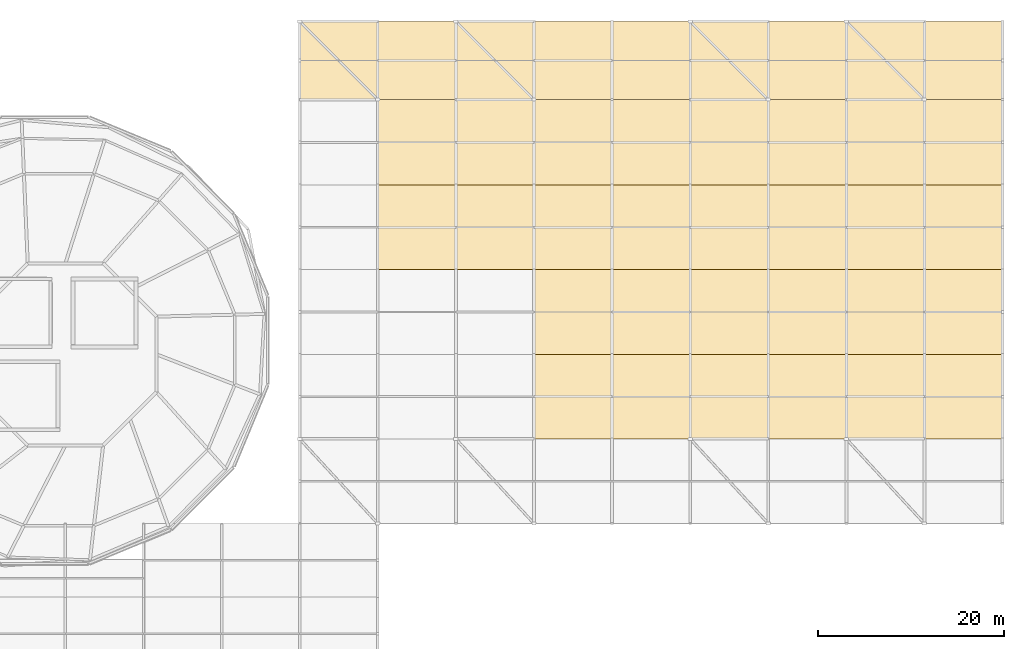
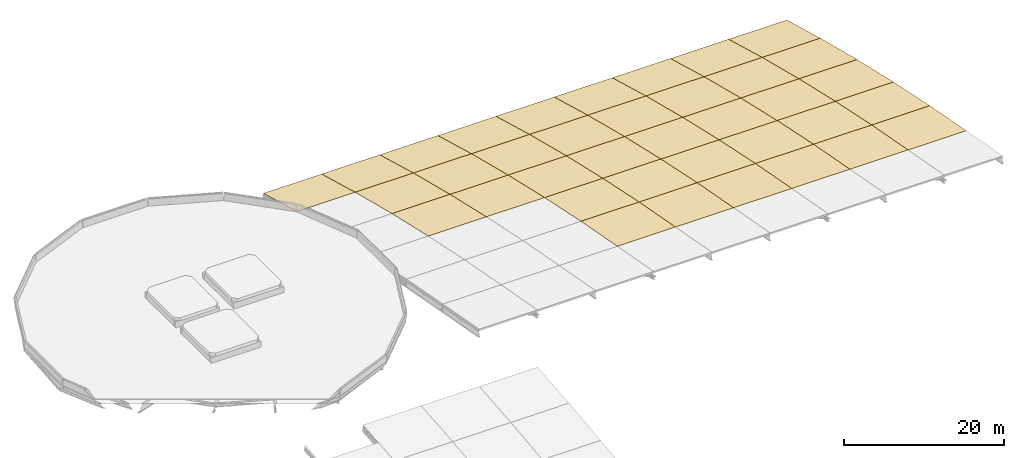
# One storey, part 12 of 12: 37 coverings, 9 elements without a shape of their own.
"""IFC4 building model written with IfcOpenShell, lengths in metres."""

import ifcopenshell
import ifcopenshell.guid

model = None  # the IFC model being written
_history = None  # IfcOwnerHistory: only IFC2X3 demands one
_inside = {}  # id of a spatial element -> (the spatial element, [elements in it])
_under = {}  # id of a project, library or spatial element -> (it, [spatial elements below it])
_declared = {}  # id of a project -> (the project, [libraries it declares])
_typed = {}  # id of a type object -> (the type object, [elements of that type])
_made_of = {}  # id of a material, layer set ... -> (it, [elements and type objects made of it])


def new_model(schema):
    """Start an empty IFC model of exactly this schema.

    Asked for "IFC4X3", IfcOpenShell would pick the latest addendum, in which some entities
    have other attributes; the version numbers below select the first issue.
    IFC2X3 requires an IfcOwnerHistory on every rooted entity: one is made here for all.
    """
    global model, _history
    if schema == "IFC4X3":
        model = ifcopenshell.file(schema_version=(4, 3, 0, 0))
    else:
        model = ifcopenshell.file(schema=schema)
    _inside.clear()
    _under.clear()
    _declared.clear()
    _typed.clear()
    _made_of.clear()
    _history = None
    if model.schema == "IFC2X3":
        org = make("IfcOrganization", Name="unknown")
        user = make(
            "IfcPersonAndOrganization",
            ThePerson=make("IfcPerson", FamilyName="unknown"),
            TheOrganization=org,
        )
        app = make(
            "IfcApplication",
            ApplicationDeveloper=org,
            Version="unknown",
            ApplicationFullName="unknown",
            ApplicationIdentifier="unknown",
        )
        _history = make(
            "IfcOwnerHistory",
            OwningUser=user,
            OwningApplication=app,
            ChangeAction="ADDED",
            CreationDate=0,
        )
    return model


def make(cls, **values):
    """One entity of the class cls with the attributes given. An attribute that is None is left unset."""
    return model.create_entity(
        cls, **{name: value for name, value in values.items() if value is not None}
    )


def rooted(cls, **values):
    """An entity with a GlobalId (a new one), such as an element, a storey or a relation."""
    return make(cls, GlobalId=ifcopenshell.guid.new(), OwnerHistory=_history, **values)


def si_unit(unit_type, name, prefix=None):
    """IfcSIUnit, for example si_unit("LENGTHUNIT", "METRE", prefix="MILLI")."""
    return make("IfcSIUnit", UnitType=unit_type, Prefix=prefix, Name=name)


def derived_unit(unit_type, elements):
    """IfcDerivedUnit: a product of units, each with its exponent."""
    return make(
        "IfcDerivedUnit",
        Elements=[
            make("IfcDerivedUnitElement", Unit=unit, Exponent=power)
            for unit, power in elements
        ],
        UnitType=unit_type,
    )


def assignment(units):
    """IfcUnitAssignment: the units of a project."""
    return None if units is None else make("IfcUnitAssignment", Units=units)


def point(xyz):
    """IfcCartesianPoint."""
    return None if xyz is None else make("IfcCartesianPoint", Coordinates=xyz)


def direction(xyz):
    """IfcDirection."""
    return None if xyz is None else make("IfcDirection", DirectionRatios=xyz)


def frame(location, z_axis=None, x_axis=None):
    """IfcAxis2Placement3D, a coordinate frame: its origin and axes. An axis left out is left unset."""
    return make(
        "IfcAxis2Placement3D",
        Location=point(location),
        Axis=direction(z_axis),
        RefDirection=direction(x_axis),
    )


def origin():
    """The frame at (0, 0, 0) with its axes left unset."""
    return frame((0.0, 0.0, 0.0))


def place(relative_to, where):
    """IfcLocalPlacement: puts the frame where relative to a parent placement (None: the world)."""
    return make(
        "IfcLocalPlacement", PlacementRelTo=relative_to, RelativePlacement=where
    )


def context(
    kind, dimensions, precision=None, world=None, true_north=None, identifier=None
):
    """IfcGeometricRepresentationContext, for example the 3D "Model" context."""
    return make(
        "IfcGeometricRepresentationContext",
        ContextIdentifier=identifier,
        ContextType=kind,
        CoordinateSpaceDimension=dimensions,
        Precision=precision,
        WorldCoordinateSystem=world,
        TrueNorth=true_north,
    )


def subcontext(parent, identifier, kind, view, scale=None):
    """IfcGeometricRepresentationSubContext, for example "Body" below "Model"."""
    return make(
        "IfcGeometricRepresentationSubContext",
        ContextIdentifier=identifier,
        ContextType=kind,
        ParentContext=parent,
        TargetScale=scale,
        TargetView=view,
    )


def project(units=None, contexts=None):
    """IfcProject with its units and contexts."""
    return rooted(
        "IfcProject",
        Name="project",
        RepresentationContexts=contexts,
        UnitsInContext=assignment(units),
    )


def spatial(cls, under=None, at=None, **own):
    """A site, building, storey or space (cls), placed at a placement, below another one or the project."""
    s = rooted(cls, ObjectPlacement=at, **own)
    if under is not None:
        _under.setdefault(under.id(), (under, []))[1].append(s)
    return s


def polyline(points):
    """IfcPolyline through the points."""
    return make("IfcPolyline", Points=[point(p) for p in points])


def outline(outer, holes=None, kind="AREA"):
    """IfcArbitraryClosedProfileDef: a profile drawn as a closed curve; with holes, ...WithVoids."""
    if holes is None:
        return make("IfcArbitraryClosedProfileDef", ProfileType=kind, OuterCurve=outer)
    return make(
        "IfcArbitraryProfileDefWithVoids",
        ProfileType=kind,
        OuterCurve=outer,
        InnerCurves=holes,
    )


def extrude(swept, where, along, depth):
    """IfcExtrudedAreaSolid: the profile swept, set in the frame where, extruded along a direction by depth."""
    return make(
        "IfcExtrudedAreaSolid",
        SweptArea=swept,
        Position=where,
        ExtrudedDirection=direction(along),
        Depth=depth,
    )


def shape(context_of_items, identifier, shape_type, items):
    """IfcShapeRepresentation: the items that make up one representation, for example the "Body"."""
    return make(
        "IfcShapeRepresentation",
        ContextOfItems=context_of_items,
        RepresentationIdentifier=identifier,
        RepresentationType=shape_type,
        Items=items,
    )


def material(Name=None, Category=None):
    """IfcMaterial."""
    return make("IfcMaterial", Name=Name, Category=Category)


def layer(
    of_material, thickness, ventilated=None, Name=None, Category=None, Priority=None
):
    """IfcMaterialLayer: one layer of a wall or slab, of a material (None: an air gap)."""
    return make(
        "IfcMaterialLayer",
        Material=of_material,
        LayerThickness=thickness,
        IsVentilated=ventilated,
        Name=Name,
        Category=Category,
        Priority=Priority,
    )


def layer_set(layers, Name=None):
    """IfcMaterialLayerSet."""
    return make("IfcMaterialLayerSet", MaterialLayers=layers, LayerSetName=Name)


def made_of(thing, what):
    """Note that an element or type object is made of a material, layer set ...; save() writes the relation."""
    if what is not None:
        _made_of.setdefault(what.id(), (what, []))[1].append(thing)
    return thing


def type_object(cls, material=None, **own):
    """A type object (cls), such as IfcWallType, which elements share."""
    return made_of(rooted(cls, **own), material)


def element(
    cls,
    number,
    at=None,
    inside=None,
    cuts=None,
    type_object=None,
    material=None,
    context=None,
    identifier="Body",
    shape_type=None,
    held_by="IfcProductDefinitionShape",
    body=None,
    shapes=None,
    **own,
):
    """One element of the class cls, such as IfcWall. Its Tag is "e" and its number.

    at: its placement. inside: the storey or other place that contains it. cuts: it is an
    opening in that element (IfcRelVoidsElement). A single representation is given by context,
    identifier, shape_type and body (its items); several are given by shapes. held_by: the class
    of the entity that holds the representations. save() writes the other relations.
    """
    e = rooted(cls, Tag="e%d" % number, ObjectPlacement=at, **own)
    if body is not None:
        shapes = [shape(context, identifier, shape_type, body)]
    if shapes is not None:
        e.Representation = make(held_by, Representations=shapes)
    if inside is not None:
        _inside.setdefault(inside.id(), (inside, []))[1].append(e)
    if cuts is not None:
        rooted(
            "IfcRelVoidsElement", RelatingBuildingElement=cuts, RelatedOpeningElement=e
        )
    if type_object is not None:
        _typed.setdefault(type_object.id(), (type_object, []))[1].append(e)
    return made_of(e, material)


def aggregate(whole, parts):
    """IfcRelAggregates: a whole, such as a stair, and the parts it consists of."""
    return rooted("IfcRelAggregates", RelatingObject=whole, RelatedObjects=parts)


def save(model, path):
    """Write the relations noted so far, then the file.

    IfcRelAggregates (storeys below a building ...), IfcRelContainedInSpatialStructure (elements
    in a storey), IfcRelDefinesByType, IfcRelAssociatesMaterial and IfcRelDeclares: one each for
    every whole, place, type object, material and project.
    """
    for whole, parts in _under.values():
        aggregate(whole, parts)
    for where, things in _inside.values():
        rooted(
            "IfcRelContainedInSpatialStructure",
            RelatedElements=things,
            RelatingStructure=where,
        )
    for kind, things in _typed.values():
        rooted("IfcRelDefinesByType", RelatedObjects=things, RelatingType=kind)
    for what, things in _made_of.values():
        rooted("IfcRelAssociatesMaterial", RelatedObjects=things, RelatingMaterial=what)
    for by, libraries in _declared.values():
        rooted("IfcRelDeclares", RelatingContext=by, RelatedDefinitions=libraries)
    model.write(path)


model = new_model("IFC4")

# Units and contexts
model_context = context("Model", 3, precision=1e-05, world=origin(), true_north=direction((0.0, 1.0)))
body_context = subcontext(model_context, "Body", "Model", "MODEL_VIEW")
ifc_project = project(units=[si_unit("LENGTHUNIT", "METRE"), si_unit("AREAUNIT", "SQUARE_METRE"), si_unit("VOLUMEUNIT", "CUBIC_METRE"), si_unit("PLANEANGLEUNIT", "RADIAN"), si_unit("MASSUNIT", "GRAM", prefix="KILO"), derived_unit("THERMALTRANSMITTANCEUNIT", [(si_unit("MASSUNIT", "GRAM", prefix="KILO"), 1), (si_unit("TIMEUNIT", "SECOND"), -3), (si_unit("THERMODYNAMICTEMPERATUREUNIT", "KELVIN"), -1)])], contexts=[model_context])

# Site, building, storey
site_placement = place(None, origin())
site = spatial("IfcSite", under=ifc_project, at=site_placement, CompositionType="ELEMENT")
building_placement = place(site_placement, origin())
building = spatial("IfcBuilding", under=site, at=building_placement, Name="Makaiwela Harbour Ferry Terminal", CompositionType="ELEMENT")
storey_placement = place(building_placement, frame((0.0, 0.0, 25.5)))
storey = spatial("IfcBuildingStorey", under=building, at=storey_placement, Name="ROOF", CompositionType="ELEMENT", Elevation=25.5)

# Roof, covering
ifc_material = material(Name="Standing-seam marine zinc roofing", Category="aluminium")
ifc_layer_1 = layer(ifc_material, 0.199951171875)
ifc_layer_set_1 = layer_set([ifc_layer_1], Name="Standing-seam marine zinc roofing")
roof_type = type_object("IfcRoofType", Name="RF-BARREL-01", PredefinedType="BARREL_ROOF", material=ifc_layer_set_1)
roof_1_placement = place(storey_placement, origin())
roof_1 = element("IfcRoof", 1, at=roof_1_placement, inside=storey, type_object=roof_type, Name="Departure Hall Barrel Vault Bay 1", PredefinedType="BARREL_ROOF")
ifc_layer_2 = layer(ifc_material, 0.044921875)
ifc_layer_set_2 = layer_set([ifc_layer_2], Name="Standing-seam marine zinc roofing")
covering_type = type_object("IfcCoveringType", Name="COV-ROOF-ZINC", PredefinedType="ROOFING", material=ifc_layer_set_2)
covering_1_placement = place(storey_placement, frame((63.0, 95.0, -9.93505859375), z_axis=(0.0, 0.266207288852, 0.963915805121), x_axis=(1.0, 0.0, 0.0)))
covering_1 = element("IfcCovering", 2, at=covering_1_placement, type_object=covering_type, Name="Architectural Covering RFG-01", PredefinedType="ROOFING", context=body_context, shape_type="SweptSolid", body=[
    extrude(outline(polyline([(0.0, 0.0), (8.39990234375, 0.0), (8.39990234375, 8.714352746500213), (0.0, 8.714352746500213), (0.0, 0.0)])), origin(), (0.0, 0.0, -1.0), 0.044921875),
])
aggregate(roof_1, [covering_1])

# Roof, coverings
roof_2_placement = place(storey_placement, origin())
roof_2 = element("IfcRoof", 3, at=roof_2_placement, inside=storey, type_object=roof_type, Name="Departure Hall Barrel Vault Bay 2", PredefinedType="BARREL_ROOF")
covering_2_placement = place(storey_placement, frame((71.39990234375, 95.0, -9.93505859375), z_axis=(0.0, 0.266207288852, 0.963915805121), x_axis=(1.0, 0.0, 0.0)))
covering_2 = element("IfcCovering", 4, at=covering_2_placement, type_object=covering_type, Name="Architectural Covering RFG-01", PredefinedType="ROOFING", context=body_context, shape_type="SweptSolid", body=[
    extrude(outline(polyline([(0.0, 0.0), (8.400146484375, 0.0), (8.400146484375, 8.714352746500213), (0.0, 8.714352746500213), (0.0, 0.0)])), origin(), (0.0, 0.0, -1.0), 0.044921875),
])
covering_3_placement = place(storey_placement, frame((71.39990234375, 85.800048828125, -7.614990234375), z_axis=(0.0, 0.244527039471, 0.969642473785), x_axis=(1.0, 0.0, 0.0)))
covering_3 = element("IfcCovering", 5, at=covering_3_placement, type_object=covering_type, Name="Architectural Covering RFG-01", PredefinedType="ROOFING", context=body_context, shape_type="SweptSolid", body=[
    extrude(outline(polyline([(0.0, 0.0), (8.400146484375, 0.0), (8.400146484375, 9.48798286028475), (0.0, 9.48798286028475), (0.0, 0.0)])), origin(), (0.0, 0.0, -1.0), 0.044921875),
])
covering_4_placement = place(storey_placement, frame((71.39990234375, 76.699951171875, -5.534912109375), z_axis=(0.0, 0.222830482699, 0.974857207995), x_axis=(1.0, 0.0, 0.0)))
covering_4 = element("IfcCovering", 6, at=covering_4_placement, type_object=covering_type, Name="Architectural Covering RFG-01", PredefinedType="ROOFING", context=body_context, shape_type="SweptSolid", body=[
    extrude(outline(polyline([(0.0, 0.0), (8.400146484375, 0.0), (8.400146484375, 9.334800606300611), (0.0, 9.334800606300611), (0.0, 0.0)])), origin(), (0.0, 0.0, -1.0), 0.044921875),
])
aggregate(roof_2, [covering_2, covering_3, covering_4])

roof_3_placement = place(storey_placement, origin())
roof_3 = element("IfcRoof", 7, at=roof_3_placement, inside=storey, type_object=roof_type, Name="Departure Hall Barrel Vault Bay 3", PredefinedType="BARREL_ROOF")
covering_5_placement = place(storey_placement, frame((79.800048828125, 95.0, -9.93505859375), z_axis=(0.0, 0.266207288852, 0.963915805121), x_axis=(1.0, 0.0, 0.0)))
covering_5 = element("IfcCovering", 8, at=covering_5_placement, type_object=covering_type, Name="Architectural Covering RFG-01", PredefinedType="ROOFING", context=body_context, shape_type="SweptSolid", body=[
    extrude(outline(polyline([(0.0, 0.0), (8.39990234375, 0.0), (8.39990234375, 8.714352746500213), (0.0, 8.714352746500213), (0.0, 0.0)])), origin(), (0.0, 0.0, -1.0), 0.044921875),
])
covering_6_placement = place(storey_placement, frame((79.800048828125, 85.800048828125, -7.614990234375), z_axis=(0.0, 0.244527039471, 0.969642473785), x_axis=(1.0, 0.0, 0.0)))
covering_6 = element("IfcCovering", 9, at=covering_6_placement, type_object=covering_type, Name="Architectural Covering RFG-01", PredefinedType="ROOFING", context=body_context, shape_type="SweptSolid", body=[
    extrude(outline(polyline([(0.0, 0.0), (8.39990234375, 0.0), (8.39990234375, 9.48798286028475), (0.0, 9.48798286028475), (0.0, 0.0)])), origin(), (0.0, 0.0, -1.0), 0.044921875),
])
covering_7_placement = place(storey_placement, frame((79.800048828125, 76.699951171875, -5.534912109375), z_axis=(0.0, 0.222830482699, 0.974857207995), x_axis=(1.0, 0.0, 0.0)))
covering_7 = element("IfcCovering", 10, at=covering_7_placement, type_object=covering_type, Name="Architectural Covering RFG-01", PredefinedType="ROOFING", context=body_context, shape_type="SweptSolid", body=[
    extrude(outline(polyline([(0.0, 0.0), (8.39990234375, 0.0), (8.39990234375, 9.334800606300611), (0.0, 9.334800606300611), (0.0, 0.0)])), origin(), (0.0, 0.0, -1.0), 0.044921875),
])
aggregate(roof_3, [covering_5, covering_6, covering_7])

roof_4_placement = place(storey_placement, origin())
roof_4 = element("IfcRoof", 11, at=roof_4_placement, inside=storey, type_object=roof_type, Name="Departure Hall Barrel Vault Bay 4", PredefinedType="BARREL_ROOF")
covering_8_placement = place(storey_placement, frame((88.199951171875, 95.0, -9.93505859375), z_axis=(0.0, 0.266207288852, 0.963915805121), x_axis=(1.0, 0.0, 0.0)))
covering_8 = element("IfcCovering", 12, at=covering_8_placement, type_object=covering_type, Name="Architectural Covering RFG-01", PredefinedType="ROOFING", context=body_context, shape_type="SweptSolid", body=[
    extrude(outline(polyline([(0.0, 0.0), (8.400146484375, 0.0), (8.400146484375, 8.714352746500213), (0.0, 8.714352746500213), (0.0, 0.0)])), origin(), (0.0, 0.0, -1.0), 0.044921875),
])
covering_9_placement = place(storey_placement, frame((88.199951171875, 85.800048828125, -7.614990234375), z_axis=(0.0, 0.244527039471, 0.969642473785), x_axis=(1.0, 0.0, 0.0)))
covering_9 = element("IfcCovering", 13, at=covering_9_placement, type_object=covering_type, Name="Architectural Covering RFG-01", PredefinedType="ROOFING", context=body_context, shape_type="SweptSolid", body=[
    extrude(outline(polyline([(0.0, 0.0), (8.400146484375, 0.0), (8.400146484375, 9.48798286028475), (0.0, 9.48798286028475), (0.0, 0.0)])), origin(), (0.0, 0.0, -1.0), 0.044921875),
])
covering_10_placement = place(storey_placement, frame((88.199951171875, 76.699951171875, -5.534912109375), z_axis=(0.0, 0.222830482699, 0.974857207995), x_axis=(1.0, 0.0, 0.0)))
covering_10 = element("IfcCovering", 14, at=covering_10_placement, type_object=covering_type, Name="Architectural Covering RFG-01", PredefinedType="ROOFING", context=body_context, shape_type="SweptSolid", body=[
    extrude(outline(polyline([(0.0, 0.0), (8.400146484375, 0.0), (8.400146484375, 9.334800606300611), (0.0, 9.334800606300611), (0.0, 0.0)])), origin(), (0.0, 0.0, -1.0), 0.044921875),
])
covering_11_placement = place(storey_placement, frame((88.199951171875, 67.60009765625, -3.635009765625), z_axis=(0.0, 0.20437688656, 0.978892276116), x_axis=(1.0, 0.0, 0.0)))
covering_11 = element("IfcCovering", 15, at=covering_11_placement, type_object=covering_type, Name="Architectural Covering RFG-01", PredefinedType="ROOFING", context=body_context, shape_type="SweptSolid", body=[
    extrude(outline(polyline([(0.0, 0.0), (8.400146484375, 0.0), (8.400146484375, 9.296072446018233), (0.0, 9.296072446018233), (0.0, 0.0)])), origin(), (0.0, 0.0, -1.0), 0.044921875),
])
covering_12_placement = place(storey_placement, frame((88.199951171875, 58.5, -1.93505859375), z_axis=(0.0, 0.183629289337, 0.982995566672), x_axis=(1.0, 0.0, 0.0)))
covering_12 = element("IfcCovering", 16, at=covering_12_placement, type_object=covering_type, Name="Architectural Covering RFG-01", PredefinedType="ROOFING", context=body_context, shape_type="SweptSolid", body=[
    extrude(outline(polyline([(0.0, 0.0), (8.400146484375, 0.0), (8.400146484375, 9.257516477978635), (0.0, 9.257516477978635), (0.0, 0.0)])), origin(), (0.0, 0.0, -1.0), 0.044921875),
])
aggregate(roof_4, [covering_8, covering_9, covering_10, covering_11, covering_12])

roof_5_placement = place(storey_placement, origin())
roof_5 = element("IfcRoof", 17, at=roof_5_placement, inside=storey, type_object=roof_type, Name="Departure Hall Barrel Vault Bay 5", PredefinedType="BARREL_ROOF")
covering_13_placement = place(storey_placement, frame((96.60009765625, 95.0, -9.93505859375), z_axis=(0.0, 0.266207288852, 0.963915805121), x_axis=(1.0, 0.0, 0.0)))
covering_13 = element("IfcCovering", 18, at=covering_13_placement, type_object=covering_type, Name="Architectural Covering RFG-01", PredefinedType="ROOFING", context=body_context, shape_type="SweptSolid", body=[
    extrude(outline(polyline([(0.0, 0.0), (8.39990234375, 0.0), (8.39990234375, 8.714352746500213), (0.0, 8.714352746500213), (0.0, 0.0)])), origin(), (0.0, 0.0, -1.0), 0.044921875),
])
covering_14_placement = place(storey_placement, frame((96.60009765625, 85.800048828125, -7.614990234375), z_axis=(0.0, 0.244527039471, 0.969642473785), x_axis=(1.0, 0.0, 0.0)))
covering_14 = element("IfcCovering", 19, at=covering_14_placement, type_object=covering_type, Name="Architectural Covering RFG-01", PredefinedType="ROOFING", context=body_context, shape_type="SweptSolid", body=[
    extrude(outline(polyline([(0.0, 0.0), (8.39990234375, 0.0), (8.39990234375, 9.48798286028475), (0.0, 9.48798286028475), (0.0, 0.0)])), origin(), (0.0, 0.0, -1.0), 0.044921875),
])
covering_15_placement = place(storey_placement, frame((96.60009765625, 76.699951171875, -5.534912109375), z_axis=(0.0, 0.222830482699, 0.974857207995), x_axis=(1.0, 0.0, 0.0)))
covering_15 = element("IfcCovering", 20, at=covering_15_placement, type_object=covering_type, Name="Architectural Covering RFG-01", PredefinedType="ROOFING", context=body_context, shape_type="SweptSolid", body=[
    extrude(outline(polyline([(0.0, 0.0), (8.39990234375, 0.0), (8.39990234375, 9.334800606300611), (0.0, 9.334800606300611), (0.0, 0.0)])), origin(), (0.0, 0.0, -1.0), 0.044921875),
])
covering_16_placement = place(storey_placement, frame((96.60009765625, 67.60009765625, -3.635009765625), z_axis=(0.0, 0.20437688656, 0.978892276116), x_axis=(1.0, 0.0, 0.0)))
covering_16 = element("IfcCovering", 21, at=covering_16_placement, type_object=covering_type, Name="Architectural Covering RFG-01", PredefinedType="ROOFING", context=body_context, shape_type="SweptSolid", body=[
    extrude(outline(polyline([(0.0, 0.0), (8.39990234375, 0.0), (8.39990234375, 9.296072446018234), (0.0, 9.296072446018234), (0.0, 0.0)])), origin(), (0.0, 0.0, -1.0), 0.044921875),
])
covering_17_placement = place(storey_placement, frame((96.60009765625, 58.5, -1.93505859375), z_axis=(0.0, 0.183629289337, 0.982995566672), x_axis=(1.0, 0.0, 0.0)))
covering_17 = element("IfcCovering", 22, at=covering_17_placement, type_object=covering_type, Name="Architectural Covering RFG-01", PredefinedType="ROOFING", context=body_context, shape_type="SweptSolid", body=[
    extrude(outline(polyline([(0.0, 0.0), (8.39990234375, 0.0), (8.39990234375, 9.257516477978633), (0.0, 9.257516477978633), (0.0, 0.0)])), origin(), (0.0, 0.0, -1.0), 0.044921875),
])
aggregate(roof_5, [covering_13, covering_14, covering_15, covering_16, covering_17])

roof_6_placement = place(storey_placement, origin())
roof_6 = element("IfcRoof", 23, at=roof_6_placement, inside=storey, type_object=roof_type, Name="Departure Hall Barrel Vault Bay 6", PredefinedType="BARREL_ROOF")
covering_18_placement = place(storey_placement, frame((105.0, 95.0, -9.93505859375), z_axis=(0.0, 0.266207288852, 0.963915805121), x_axis=(1.0, 0.0, 0.0)))
covering_18 = element("IfcCovering", 24, at=covering_18_placement, type_object=covering_type, Name="Architectural Covering RFG-01", PredefinedType="ROOFING", context=body_context, shape_type="SweptSolid", body=[
    extrude(outline(polyline([(0.0, 0.0), (8.39990234375, 0.0), (8.39990234375, 8.714352746500213), (0.0, 8.714352746500213), (0.0, 0.0)])), origin(), (0.0, 0.0, -1.0), 0.044921875),
])
covering_19_placement = place(storey_placement, frame((105.0, 85.800048828125, -7.614990234375), z_axis=(0.0, 0.244527039471, 0.969642473785), x_axis=(1.0, 0.0, 0.0)))
covering_19 = element("IfcCovering", 25, at=covering_19_placement, type_object=covering_type, Name="Architectural Covering RFG-01", PredefinedType="ROOFING", context=body_context, shape_type="SweptSolid", body=[
    extrude(outline(polyline([(0.0, 0.0), (8.39990234375, 0.0), (8.39990234375, 9.48798286028475), (0.0, 9.48798286028475), (0.0, 0.0)])), origin(), (0.0, 0.0, -1.0), 0.044921875),
])
covering_20_placement = place(storey_placement, frame((105.0, 76.699951171875, -5.534912109375), z_axis=(0.0, 0.222830482699, 0.974857207995), x_axis=(1.0, 0.0, 0.0)))
covering_20 = element("IfcCovering", 26, at=covering_20_placement, type_object=covering_type, Name="Architectural Covering RFG-01", PredefinedType="ROOFING", context=body_context, shape_type="SweptSolid", body=[
    extrude(outline(polyline([(0.0, 0.0), (8.39990234375, 0.0), (8.39990234375, 9.334800606300611), (0.0, 9.334800606300611), (0.0, 0.0)])), origin(), (0.0, 0.0, -1.0), 0.044921875),
])
covering_21_placement = place(storey_placement, frame((105.0, 67.60009765625, -3.635009765625), z_axis=(0.0, 0.20437688656, 0.978892276116), x_axis=(1.0, 0.0, 0.0)))
covering_21 = element("IfcCovering", 27, at=covering_21_placement, type_object=covering_type, Name="Architectural Covering RFG-01", PredefinedType="ROOFING", context=body_context, shape_type="SweptSolid", body=[
    extrude(outline(polyline([(0.0, 0.0), (8.39990234375, 0.0), (8.39990234375, 9.296072446018234), (0.0, 9.296072446018234), (0.0, 0.0)])), origin(), (0.0, 0.0, -1.0), 0.044921875),
])
covering_22_placement = place(storey_placement, frame((105.0, 58.5, -1.93505859375), z_axis=(0.0, 0.183629289337, 0.982995566672), x_axis=(1.0, 0.0, 0.0)))
covering_22 = element("IfcCovering", 28, at=covering_22_placement, type_object=covering_type, Name="Architectural Covering RFG-01", PredefinedType="ROOFING", context=body_context, shape_type="SweptSolid", body=[
    extrude(outline(polyline([(0.0, 0.0), (8.39990234375, 0.0), (8.39990234375, 9.257516477978633), (0.0, 9.257516477978633), (0.0, 0.0)])), origin(), (0.0, 0.0, -1.0), 0.044921875),
])
aggregate(roof_6, [covering_18, covering_19, covering_20, covering_21, covering_22])

roof_7_placement = place(storey_placement, origin())
roof_7 = element("IfcRoof", 29, at=roof_7_placement, inside=storey, type_object=roof_type, Name="Departure Hall Barrel Vault Bay 7", PredefinedType="BARREL_ROOF")
covering_23_placement = place(storey_placement, frame((113.39990234375, 95.0, -9.93505859375), z_axis=(0.0, 0.266207288852, 0.963915805121), x_axis=(1.0, 0.0, 0.0)))
covering_23 = element("IfcCovering", 30, at=covering_23_placement, type_object=covering_type, Name="Architectural Covering RFG-01", PredefinedType="ROOFING", context=body_context, shape_type="SweptSolid", body=[
    extrude(outline(polyline([(0.0, 0.0), (8.400146484375, 0.0), (8.400146484375, 8.714352746500213), (0.0, 8.714352746500213), (0.0, 0.0)])), origin(), (0.0, 0.0, -1.0), 0.044921875),
])
covering_24_placement = place(storey_placement, frame((113.39990234375, 85.800048828125, -7.614990234375), z_axis=(0.0, 0.244527039471, 0.969642473785), x_axis=(1.0, 0.0, 0.0)))
covering_24 = element("IfcCovering", 31, at=covering_24_placement, type_object=covering_type, Name="Architectural Covering RFG-01", PredefinedType="ROOFING", context=body_context, shape_type="SweptSolid", body=[
    extrude(outline(polyline([(0.0, 0.0), (8.400146484375, 0.0), (8.400146484375, 9.48798286028475), (0.0, 9.48798286028475), (0.0, 0.0)])), origin(), (0.0, 0.0, -1.0), 0.044921875),
])
covering_25_placement = place(storey_placement, frame((113.39990234375, 76.699951171875, -5.534912109375), z_axis=(0.0, 0.222830482699, 0.974857207995), x_axis=(1.0, 0.0, 0.0)))
covering_25 = element("IfcCovering", 32, at=covering_25_placement, type_object=covering_type, Name="Architectural Covering RFG-01", PredefinedType="ROOFING", context=body_context, shape_type="SweptSolid", body=[
    extrude(outline(polyline([(0.0, 0.0), (8.400146484375, 0.0), (8.400146484375, 9.334800606300611), (0.0, 9.334800606300611), (0.0, 0.0)])), origin(), (0.0, 0.0, -1.0), 0.044921875),
])
covering_26_placement = place(storey_placement, frame((113.39990234375, 67.60009765625, -3.635009765625), z_axis=(0.0, 0.20437688656, 0.978892276116), x_axis=(1.0, 0.0, 0.0)))
covering_26 = element("IfcCovering", 33, at=covering_26_placement, type_object=covering_type, Name="Architectural Covering RFG-01", PredefinedType="ROOFING", context=body_context, shape_type="SweptSolid", body=[
    extrude(outline(polyline([(0.0, 0.0), (8.400146484375, 0.0), (8.400146484375, 9.296072446018233), (0.0, 9.296072446018233), (0.0, 0.0)])), origin(), (0.0, 0.0, -1.0), 0.044921875),
])
covering_27_placement = place(storey_placement, frame((113.39990234375, 58.5, -1.93505859375), z_axis=(0.0, 0.183629289337, 0.982995566672), x_axis=(1.0, 0.0, 0.0)))
covering_27 = element("IfcCovering", 34, at=covering_27_placement, type_object=covering_type, Name="Architectural Covering RFG-01", PredefinedType="ROOFING", context=body_context, shape_type="SweptSolid", body=[
    extrude(outline(polyline([(0.0, 0.0), (8.400146484375, 0.0), (8.400146484375, 9.257516477978635), (0.0, 9.257516477978635), (0.0, 0.0)])), origin(), (0.0, 0.0, -1.0), 0.044921875),
])
aggregate(roof_7, [covering_23, covering_24, covering_25, covering_26, covering_27])

roof_8_placement = place(storey_placement, origin())
roof_8 = element("IfcRoof", 35, at=roof_8_placement, inside=storey, type_object=roof_type, Name="Departure Hall Barrel Vault Bay 8", PredefinedType="BARREL_ROOF")
covering_28_placement = place(storey_placement, frame((121.800048828125, 95.0, -9.93505859375), z_axis=(0.0, 0.266207288852, 0.963915805121), x_axis=(1.0, 0.0, 0.0)))
covering_28 = element("IfcCovering", 36, at=covering_28_placement, type_object=covering_type, Name="Architectural Covering RFG-01", PredefinedType="ROOFING", context=body_context, shape_type="SweptSolid", body=[
    extrude(outline(polyline([(0.0, 0.0), (8.39990234375, 0.0), (8.39990234375, 8.714352746500213), (0.0, 8.714352746500213), (0.0, 0.0)])), origin(), (0.0, 0.0, -1.0), 0.044921875),
])
covering_29_placement = place(storey_placement, frame((121.800048828125, 85.800048828125, -7.614990234375), z_axis=(0.0, 0.244527039471, 0.969642473785), x_axis=(1.0, 0.0, 0.0)))
covering_29 = element("IfcCovering", 37, at=covering_29_placement, type_object=covering_type, Name="Architectural Covering RFG-01", PredefinedType="ROOFING", context=body_context, shape_type="SweptSolid", body=[
    extrude(outline(polyline([(0.0, 0.0), (8.39990234375, 0.0), (8.39990234375, 9.48798286028475), (0.0, 9.48798286028475), (0.0, 0.0)])), origin(), (0.0, 0.0, -1.0), 0.044921875),
])
covering_30_placement = place(storey_placement, frame((121.800048828125, 76.699951171875, -5.534912109375), z_axis=(0.0, 0.222830482699, 0.974857207995), x_axis=(1.0, 0.0, 0.0)))
covering_30 = element("IfcCovering", 38, at=covering_30_placement, type_object=covering_type, Name="Architectural Covering RFG-01", PredefinedType="ROOFING", context=body_context, shape_type="SweptSolid", body=[
    extrude(outline(polyline([(0.0, 0.0), (8.39990234375, 0.0), (8.39990234375, 9.334800606300611), (0.0, 9.334800606300611), (0.0, 0.0)])), origin(), (0.0, 0.0, -1.0), 0.044921875),
])
covering_31_placement = place(storey_placement, frame((121.800048828125, 67.60009765625, -3.635009765625), z_axis=(0.0, 0.20437688656, 0.978892276116), x_axis=(1.0, 0.0, 0.0)))
covering_31 = element("IfcCovering", 39, at=covering_31_placement, type_object=covering_type, Name="Architectural Covering RFG-01", PredefinedType="ROOFING", context=body_context, shape_type="SweptSolid", body=[
    extrude(outline(polyline([(0.0, 0.0), (8.39990234375, 0.0), (8.39990234375, 9.296072446018234), (0.0, 9.296072446018234), (0.0, 0.0)])), origin(), (0.0, 0.0, -1.0), 0.044921875),
])
covering_32_placement = place(storey_placement, frame((121.800048828125, 58.5, -1.93505859375), z_axis=(0.0, 0.183629289337, 0.982995566672), x_axis=(1.0, 0.0, 0.0)))
covering_32 = element("IfcCovering", 40, at=covering_32_placement, type_object=covering_type, Name="Architectural Covering RFG-01", PredefinedType="ROOFING", context=body_context, shape_type="SweptSolid", body=[
    extrude(outline(polyline([(0.0, 0.0), (8.39990234375, 0.0), (8.39990234375, 9.257516477978633), (0.0, 9.257516477978633), (0.0, 0.0)])), origin(), (0.0, 0.0, -1.0), 0.044921875),
])
aggregate(roof_8, [covering_28, covering_29, covering_30, covering_31, covering_32])

roof_9_placement = place(storey_placement, origin())
roof_9 = element("IfcRoof", 41, at=roof_9_placement, inside=storey, type_object=roof_type, Name="Departure Hall Barrel Vault Bay 9", PredefinedType="BARREL_ROOF")
covering_33_placement = place(storey_placement, frame((130.199951171875, 95.0, -9.93505859375), z_axis=(0.0, 0.266207288852, 0.963915805121), x_axis=(1.0, 0.0, 0.0)))
covering_33 = element("IfcCovering", 42, at=covering_33_placement, type_object=covering_type, Name="Architectural Covering RFG-01", PredefinedType="ROOFING", context=body_context, shape_type="SweptSolid", body=[
    extrude(outline(polyline([(0.0, 0.0), (8.400146484375, 0.0), (8.400146484375, 8.714352746500213), (0.0, 8.714352746500213), (0.0, 0.0)])), origin(), (0.0, 0.0, -1.0), 0.044921875),
])
covering_34_placement = place(storey_placement, frame((130.199951171875, 85.800048828125, -7.614990234375), z_axis=(0.0, 0.244527039471, 0.969642473785), x_axis=(1.0, 0.0, 0.0)))
covering_34 = element("IfcCovering", 43, at=covering_34_placement, type_object=covering_type, Name="Architectural Covering RFG-01", PredefinedType="ROOFING", context=body_context, shape_type="SweptSolid", body=[
    extrude(outline(polyline([(0.0, 0.0), (8.400146484375, 0.0), (8.400146484375, 9.48798286028475), (0.0, 9.48798286028475), (0.0, 0.0)])), origin(), (0.0, 0.0, -1.0), 0.044921875),
])
covering_35_placement = place(storey_placement, frame((130.199951171875, 76.699951171875, -5.534912109375), z_axis=(0.0, 0.222830482699, 0.974857207995), x_axis=(1.0, 0.0, 0.0)))
covering_35 = element("IfcCovering", 44, at=covering_35_placement, type_object=covering_type, Name="Architectural Covering RFG-01", PredefinedType="ROOFING", context=body_context, shape_type="SweptSolid", body=[
    extrude(outline(polyline([(0.0, 0.0), (8.400146484375, 0.0), (8.400146484375, 9.334800606300611), (0.0, 9.334800606300611), (0.0, 0.0)])), origin(), (0.0, 0.0, -1.0), 0.044921875),
])
covering_36_placement = place(storey_placement, frame((130.199951171875, 67.60009765625, -3.635009765625), z_axis=(0.0, 0.20437688656, 0.978892276116), x_axis=(1.0, 0.0, 0.0)))
covering_36 = element("IfcCovering", 45, at=covering_36_placement, type_object=covering_type, Name="Architectural Covering RFG-01", PredefinedType="ROOFING", context=body_context, shape_type="SweptSolid", body=[
    extrude(outline(polyline([(0.0, 0.0), (8.400146484375, 0.0), (8.400146484375, 9.296072446018233), (0.0, 9.296072446018233), (0.0, 0.0)])), origin(), (0.0, 0.0, -1.0), 0.044921875),
])
covering_37_placement = place(storey_placement, frame((130.199951171875, 58.5, -1.93505859375), z_axis=(0.0, 0.183629289337, 0.982995566672), x_axis=(1.0, 0.0, 0.0)))
covering_37 = element("IfcCovering", 46, at=covering_37_placement, type_object=covering_type, Name="Architectural Covering RFG-01", PredefinedType="ROOFING", context=body_context, shape_type="SweptSolid", body=[
    extrude(outline(polyline([(0.0, 0.0), (8.400146484375, 0.0), (8.400146484375, 9.257516477978635), (0.0, 9.257516477978635), (0.0, 0.0)])), origin(), (0.0, 0.0, -1.0), 0.044921875),
])
aggregate(roof_9, [covering_33, covering_34, covering_35, covering_36, covering_37])

save(model, "model.ifc")
